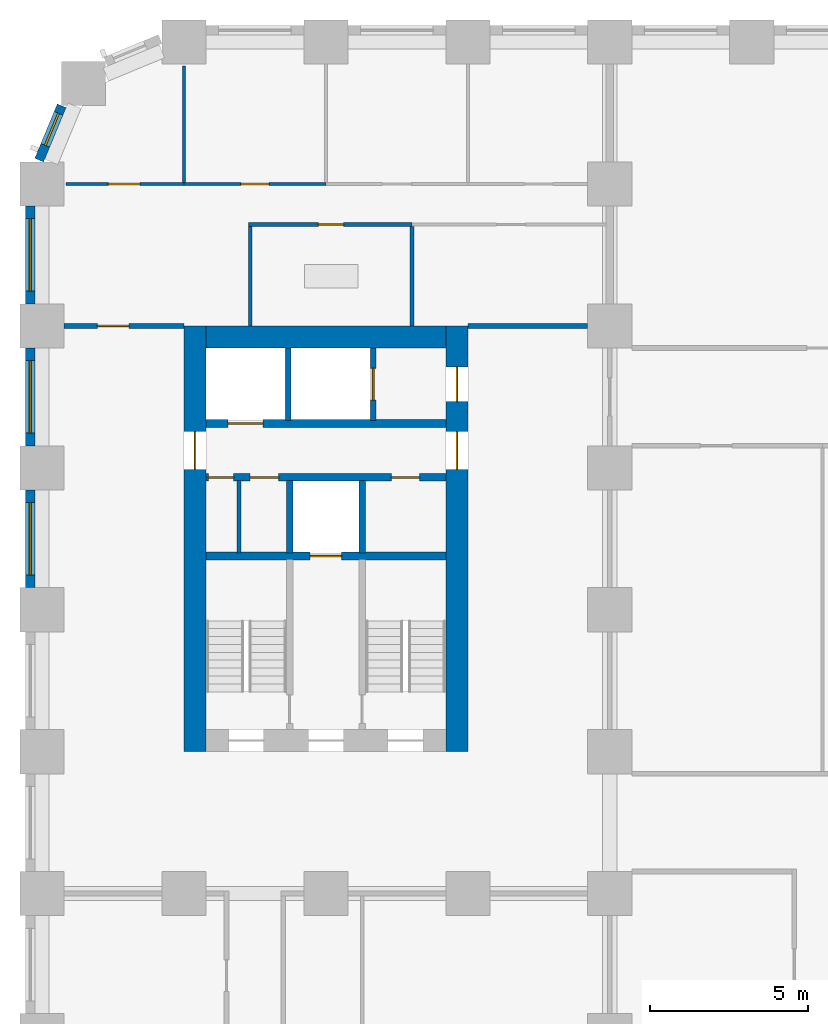
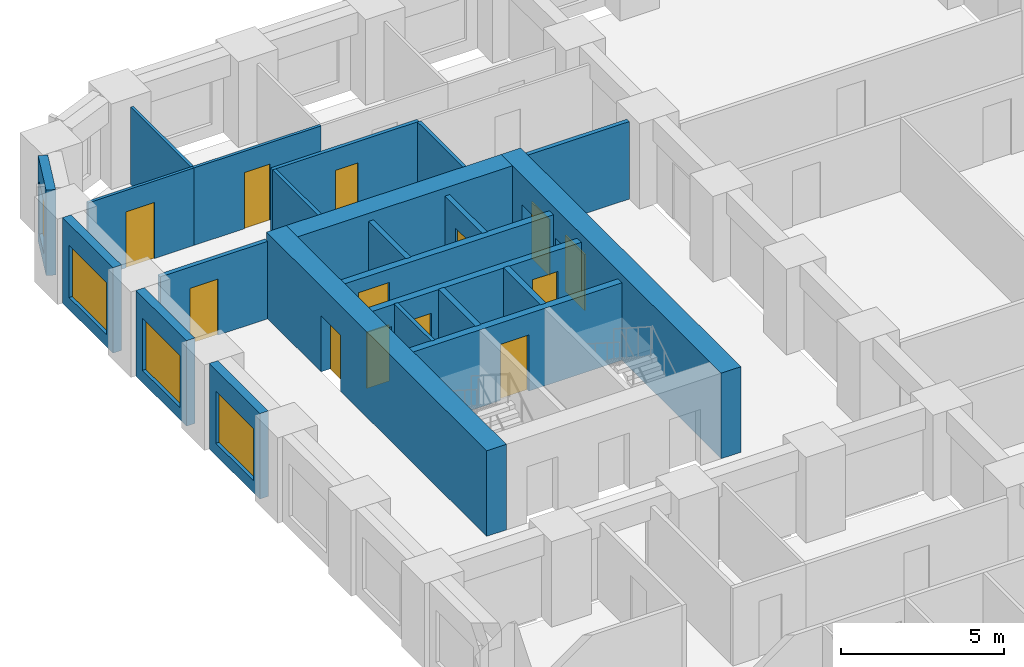
# One storey, part 6 of 12: 23 walls, 13 doors, 4 windows, 17 openings.
"""IFC4 building model written with IfcOpenShell, lengths in metres."""

from ifc_helpers import new_model, si_unit, direction, frame, frame_2d, origin, place, context, subcontext, project, spatial, rectangle, extrude, material, layer, layer_set, type_object, element, fill, save


model = new_model("IFC4")

# Units and contexts
model_context = context("Model", 3, precision=1e-05, world=origin(), true_north=direction((0.0, 1.0)))
body_context = subcontext(model_context, "Body", "Model", "MODEL_VIEW")
ifc_project = project(units=[si_unit("LENGTHUNIT", "METRE"), si_unit("AREAUNIT", "SQUARE_METRE"), si_unit("VOLUMEUNIT", "CUBIC_METRE"), si_unit("PLANEANGLEUNIT", "RADIAN"), si_unit("MASSUNIT", "GRAM", prefix="KILO")], contexts=[model_context])

# Site, building, storey
site_placement = place(None, origin())
site = spatial("IfcSite", under=ifc_project, at=site_placement, CompositionType="ELEMENT")
building_placement = place(site_placement, origin())
building = spatial("IfcBuilding", under=site, at=building_placement, Name="Girih Gate Residences", CompositionType="ELEMENT")
storey_placement = place(building_placement, frame((0.0, 0.0, 33.60009765625)))
storey = spatial("IfcBuildingStorey", under=building, at=storey_placement, Name="L07", CompositionType="ELEMENT", Elevation=33.60009765625)

# Wall, opening, door
ifc_material_1 = material(Name="Gypsum board on steel studs", Category="steel")
ifc_layer_1 = layer(ifc_material_1, 0.14990234375)
ifc_layer_set_1 = layer_set([ifc_layer_1], Name="Compartment wall 150 mm")
wall_type_1 = type_object("IfcWallType", Name="Compartment wall 150 mm", PredefinedType="PARTITIONING", material=ifc_layer_set_1)
wall_1_placement = place(storey_placement, frame((0.699951171875, 40.5, 0.0), z_axis=(0.0, 0.0, 1.0), x_axis=(1.0, 0.0, 0.0)))
wall_1 = element("IfcWall", 1, at=wall_1_placement, inside=storey, type_object=wall_type_1, Name="L07 partition", PredefinedType="PARTITIONING", context=body_context, shape_type="SweptSolid", body=[
    extrude(rectangle(XDim=3.800048828125, YDim=0.14990234375, at=frame_2d((1.89990234375, 0.0))), origin(), (0.0, 0.0, 1.0), 2.89990234375),
])
opening_1_placement = place(wall_1_placement, frame((1.050048828125, 0.0, 0.0)))
opening_1 = element("IfcOpeningElement", 2, at=opening_1_placement, cuts=wall_1, Name="Opening A07-014", PredefinedType="OPENING", context=body_context, shape_type="SweptSolid", body=[
    extrude(rectangle(XDim=1.0, YDim=2.10009765625, at=frame_2d((0.5, 1.050048828125))), frame((0.0, 0.0849609375, 0.0), z_axis=(0.0, -1.0, 0.0), x_axis=(1.0, 0.0, 0.0)), (0.0, 0.0, 1.0), 0.169921875),
])
ifc_material_2 = material(Name="Timber, fire-rated core", Category="wood")
door_type_1 = type_object("IfcDoorType", Name="Flat entrance door 1000x2100 FD30S", OperationType="NOTDEFINED", PredefinedType="DOOR", material=ifc_material_2)
door_1_placement = place(opening_1_placement, origin())
door_1 = element("IfcDoor", 3, at=door_1_placement, inside=storey, type_object=door_type_1, Name="Door A07-014", OperationType="SINGLE_SWING_LEFT", OverallHeight=2.10009765625, OverallWidth=1.0, PredefinedType="DOOR", context=body_context, shape_type="SweptSolid", body=[
    extrude(rectangle(XDim=1.0, YDim=2.10009765625, at=frame_2d((0.5, 1.050048828125))), frame((0.0, 0.02490234375, 0.0), z_axis=(0.0, -1.0, 0.0), x_axis=(1.0, 0.0, 0.0)), (0.0, 0.0, 1.0), 0.050048828125),
])
fill(opening_1, door_1)

# Walls
wall_2_placement = place(storey_placement, frame((13.5, 40.5, 0.0), z_axis=(0.0, 0.0, 1.0), x_axis=(1.0, 0.0, 0.0)))
element("IfcWall", 4, at=wall_2_placement, inside=storey, type_object=wall_type_1, Name="L07 partition", PredefinedType="PARTITIONING", context=body_context, shape_type="SweptSolid", body=[
    extrude(rectangle(XDim=3.800048828125, YDim=0.14990234375, at=frame_2d((1.89990234375, 0.0))), origin(), (0.0, 0.0, 1.0), 2.89990234375),
])
ifc_material_3 = material(Name="Concrete C60/75", Category="concrete")
ifc_layer_2 = layer(ifc_material_3, 0.699951171875)
ifc_layer_set_2 = layer_set([ifc_layer_2], Name="Core wall RC 700 Concrete C60/75")
wall_type_2 = type_object("IfcWallType", Name="Core wall RC 700 Concrete C60/75", PredefinedType="SOLIDWALL", material=ifc_layer_set_2)
wall_3_placement = place(storey_placement, frame((5.199951171875, 40.14990234375, 0.0), z_axis=(0.0, 0.0, 1.0), x_axis=(1.0, 0.0, 0.0)))
element("IfcWall", 5, at=wall_3_placement, inside=storey, type_object=wall_type_2, Name="Core wall W-N L07", PredefinedType="SOLIDWALL", context=body_context, shape_type="SweptSolid", body=[
    extrude(rectangle(XDim=7.60009765625, YDim=0.699951171875, at=frame_2d((3.800048828125, 0.0))), origin(), (0.0, 0.0, 1.0), 3.199951171875),
])

# Wall, opening, door
wall_4_placement = place(storey_placement, frame((4.85009765625, 27.0, 0.0), z_axis=(0.0, 0.0, 1.0), x_axis=(0.0, 1.0, 0.0)))
wall_4 = element("IfcWall", 6, at=wall_4_placement, inside=storey, type_object=wall_type_2, Name="Core wall W-W L07", PredefinedType="SOLIDWALL", context=body_context, shape_type="SweptSolid", body=[
    extrude(rectangle(XDim=13.5, YDim=0.699951171875, at=frame_2d((6.75, 0.0))), origin(), (0.0, 0.0, 1.0), 3.199951171875),
])
opening_2_placement = place(wall_4_placement, frame((8.949951171875, 0.0, 0.0)))
opening_2 = element("IfcOpeningElement", 7, at=opening_2_placement, cuts=wall_4, Name="Opening D-L07-W-013", PredefinedType="OPENING", context=body_context, shape_type="SweptSolid", body=[
    extrude(rectangle(XDim=1.199951171875, YDim=2.10009765625, at=frame_2d((0.60009765625, 1.050048828125))), frame((0.0, 0.35986328125, 0.0), z_axis=(0.0, -1.0, 0.0), x_axis=(1.0, 0.0, 0.0)), (0.0, 0.0, 1.0), 0.719970703125),
])
ifc_material_4 = material(Name="Painted steel, fire-resisting", Category="steel")
door_type_2 = type_object("IfcDoorType", Name="Fire door 1200x2100", OperationType="SINGLE_SWING_LEFT", PredefinedType="DOOR", material=ifc_material_4)
door_2_placement = place(opening_2_placement, origin())
door_2 = element("IfcDoor", 8, at=door_2_placement, inside=storey, type_object=door_type_2, Name="L07 W core door ll-w", OperationType="SINGLE_SWING_LEFT", OverallHeight=2.10009765625, OverallWidth=1.199951171875, PredefinedType="DOOR", context=body_context, shape_type="SweptSolid", body=[
    extrude(rectangle(XDim=1.199951171875, YDim=2.10009765625, at=frame_2d((0.60009765625, 1.050048828125))), frame((0.0, 0.02490234375, 0.0), z_axis=(0.0, -1.0, 0.0), x_axis=(1.0, 0.0, 0.0)), (0.0, 0.0, 1.0), 0.050048828125),
])
fill(opening_2, door_2)

# Wall, openings, doors
wall_5_placement = place(storey_placement, frame((13.14990234375, 27.0, 0.0), z_axis=(0.0, 0.0, 1.0), x_axis=(0.0, 1.0, 0.0)))
wall_5 = element("IfcWall", 9, at=wall_5_placement, inside=storey, type_object=wall_type_2, Name="Core wall W-E L07", PredefinedType="SOLIDWALL", context=body_context, shape_type="SweptSolid", body=[
    extrude(rectangle(XDim=13.5, YDim=0.699951171875, at=frame_2d((6.75, 0.0))), origin(), (0.0, 0.0, 1.0), 3.199951171875),
])
opening_3_placement = place(wall_5_placement, frame((11.10009765625, 0.0, 0.0)))
opening_3 = element("IfcOpeningElement", 10, at=opening_3_placement, cuts=wall_5, Name="Opening D-L07-W-012", PredefinedType="OPENING", context=body_context, shape_type="SweptSolid", body=[
    extrude(rectangle(XDim=1.10009765625, YDim=2.10009765625, at=frame_2d((0.550048828125, 1.050048828125))), frame((0.0, 0.35986328125, 0.0), z_axis=(0.0, -1.0, 0.0), x_axis=(1.0, 0.0, 0.0)), (0.0, 0.0, 1.0), 0.719970703125),
])
opening_4_placement = place(wall_5_placement, frame((8.949951171875, 0.0, 0.0)))
opening_4 = element("IfcOpeningElement", 11, at=opening_4_placement, cuts=wall_5, Name="Opening D-L07-W-014", PredefinedType="OPENING", context=body_context, shape_type="SweptSolid", body=[
    extrude(rectangle(XDim=1.199951171875, YDim=2.10009765625, at=frame_2d((0.60009765625, 1.050048828125))), frame((0.0, 0.35986328125, 0.0), z_axis=(0.0, -1.0, 0.0), x_axis=(1.0, 0.0, 0.0)), (0.0, 0.0, 1.0), 0.719970703125),
])
door_type_3 = type_object("IfcDoorType", Name="Fire door 1100x2100", OperationType="SINGLE_SWING_LEFT", PredefinedType="DOOR", material=ifc_material_4)
door_3_placement = place(opening_3_placement, origin())
door_3 = element("IfcDoor", 12, at=door_3_placement, inside=storey, type_object=door_type_3, Name="L07 W core door ffl2-e", OperationType="SINGLE_SWING_LEFT", OverallHeight=2.10009765625, OverallWidth=1.10009765625, PredefinedType="DOOR", context=body_context, shape_type="SweptSolid", body=[
    extrude(rectangle(XDim=1.10009765625, YDim=2.10009765625, at=frame_2d((0.550048828125, 1.050048828125))), frame((0.0, 0.02490234375, 0.0), z_axis=(0.0, -1.0, 0.0), x_axis=(1.0, 0.0, 0.0)), (0.0, 0.0, 1.0), 0.050048828125),
])
fill(opening_3, door_3)
door_4_placement = place(opening_4_placement, origin())
door_4 = element("IfcDoor", 13, at=door_4_placement, inside=storey, type_object=door_type_2, Name="L07 W core door ll-e", OperationType="SINGLE_SWING_LEFT", OverallHeight=2.10009765625, OverallWidth=1.199951171875, PredefinedType="DOOR", context=body_context, shape_type="SweptSolid", body=[
    extrude(rectangle(XDim=1.199951171875, YDim=2.10009765625, at=frame_2d((0.60009765625, 1.050048828125))), frame((0.0, 0.02490234375, 0.0), z_axis=(0.0, -1.0, 0.0), x_axis=(1.0, 0.0, 0.0)), (0.0, 0.0, 1.0), 0.050048828125),
])
fill(opening_4, door_4)

# Wall, opening, door
ifc_material_5 = material(Name="Concrete C40/50", Category="concrete")
ifc_layer_3 = layer(ifc_material_5, 0.25)
ifc_layer_set_3 = layer_set([ifc_layer_3], Name="Lift shaft wall 250")
wall_type_3 = type_object("IfcWallType", Name="Lift shaft wall 250", PredefinedType="SOLIDWALL", material=ifc_layer_set_3)
wall_6_placement = place(storey_placement, frame((5.199951171875, 33.199951171875, 0.0), z_axis=(0.0, 0.0, 1.0), x_axis=(1.0, 0.0, 0.0)))
wall_6 = element("IfcWall", 14, at=wall_6_placement, inside=storey, type_object=wall_type_3, Name="L07 W core wall H1", PredefinedType="SOLIDWALL", context=body_context, shape_type="SweptSolid", body=[
    extrude(rectangle(XDim=7.60009765625, YDim=0.25, at=frame_2d((3.800048828125, 0.0))), origin(), (0.0, 0.0, 1.0), 2.89990234375),
])
opening_5_placement = place(wall_6_placement, frame((3.300048828125, 0.0, 0.0)))
opening_5 = element("IfcOpeningElement", 15, at=opening_5_placement, cuts=wall_6, Name="Opening D-L07-W-005", PredefinedType="OPENING", context=body_context, shape_type="SweptSolid", body=[
    extrude(rectangle(XDim=1.0, YDim=2.10009765625, at=frame_2d((0.5, 1.050048828125))), frame((0.0, 0.135009765625, 0.0), z_axis=(0.0, -1.0, 0.0), x_axis=(1.0, 0.0, 0.0)), (0.0, 0.0, 1.0), 0.27001953125),
])
ifc_material_6 = material(Name="Stainless steel, fire-resisting", Category="steel")
door_type_4 = type_object("IfcDoorType", Name="Firefighting lift landing door 1000x2100", OperationType="SLIDING_TO_LEFT", PredefinedType="DOOR", material=ifc_material_6)
door_5_placement = place(opening_5_placement, origin())
door_5 = element("IfcDoor", 16, at=door_5_placement, inside=storey, type_object=door_type_4, Name="L07 lift FF-W landing door", OperationType="SLIDING_TO_LEFT", OverallHeight=2.10009765625, OverallWidth=1.0, PredefinedType="DOOR", context=body_context, shape_type="SweptSolid", body=[
    extrude(rectangle(XDim=1.0, YDim=2.10009765625, at=frame_2d((0.5, 1.050048828125))), frame((0.0, 0.02490234375, 0.0), z_axis=(0.0, -1.0, 0.0), x_axis=(1.0, 0.0, 0.0)), (0.0, 0.0, 1.0), 0.050048828125),
])
fill(opening_5, door_5)

# Wall, openings, doors
wall_7_placement = place(storey_placement, frame((5.199951171875, 35.699951171875, 0.0), z_axis=(0.0, 0.0, 1.0), x_axis=(1.0, 0.0, 0.0)))
wall_7 = element("IfcWall", 17, at=wall_7_placement, inside=storey, type_object=wall_type_3, Name="L07 W core wall H2", PredefinedType="SOLIDWALL", context=body_context, shape_type="SweptSolid", body=[
    extrude(rectangle(XDim=7.60009765625, YDim=0.25, at=frame_2d((3.800048828125, 0.0))), origin(), (0.0, 0.0, 1.0), 2.89990234375),
])
opening_6_placement = place(wall_7_placement, frame((0.074951171875, 0.0, 0.0)))
opening_6 = element("IfcOpeningElement", 18, at=opening_6_placement, cuts=wall_7, Name="Opening D-L07-W-006", PredefinedType="OPENING", context=body_context, shape_type="SweptSolid", body=[
    extrude(rectangle(XDim=0.800048828125, YDim=2.10009765625, at=frame_2d((0.39990234375, 1.050048828125))), frame((0.0, 0.135009765625, 0.0), z_axis=(0.0, -1.0, 0.0), x_axis=(1.0, 0.0, 0.0)), (0.0, 0.0, 1.0), 0.27001953125),
])
opening_7_placement = place(wall_7_placement, frame((1.39990234375, 0.0, 0.0)))
opening_7 = element("IfcOpeningElement", 19, at=opening_7_placement, cuts=wall_7, Name="Opening D-L07-W-007", PredefinedType="OPENING", context=body_context, shape_type="SweptSolid", body=[
    extrude(rectangle(XDim=0.89990234375, YDim=2.10009765625, at=frame_2d((0.449951171875, 1.050048828125))), frame((0.0, 0.135009765625, 0.0), z_axis=(0.0, -1.0, 0.0), x_axis=(1.0, 0.0, 0.0)), (0.0, 0.0, 1.0), 0.27001953125),
])
opening_8_placement = place(wall_7_placement, frame((5.875, 0.0, 0.0)))
opening_8 = element("IfcOpeningElement", 20, at=opening_8_placement, cuts=wall_7, Name="Opening D-L07-W-008", PredefinedType="OPENING", context=body_context, shape_type="SweptSolid", body=[
    extrude(rectangle(XDim=0.89990234375, YDim=2.10009765625, at=frame_2d((0.449951171875, 1.050048828125))), frame((0.0, 0.135009765625, 0.0), z_axis=(0.0, -1.0, 0.0), x_axis=(1.0, 0.0, 0.0)), (0.0, 0.0, 1.0), 0.27001953125),
])
door_type_5 = type_object("IfcDoorType", Name="Fire door 800x2100", OperationType="SINGLE_SWING_LEFT", PredefinedType="DOOR", material=ifc_material_4)
door_6_placement = place(opening_6_placement, origin())
door_6 = element("IfcDoor", 21, at=door_6_placement, inside=storey, type_object=door_type_5, Name="L07 W maintenance store door", OperationType="SINGLE_SWING_LEFT", OverallHeight=2.10009765625, OverallWidth=0.800048828125, PredefinedType="DOOR", context=body_context, shape_type="SweptSolid", body=[
    extrude(rectangle(XDim=0.800048828125, YDim=2.10009765625, at=frame_2d((0.39990234375, 1.050048828125))), frame((0.0, 0.02490234375, 0.0), z_axis=(0.0, -1.0, 0.0), x_axis=(1.0, 0.0, 0.0)), (0.0, 0.0, 1.0), 0.050048828125),
])
fill(opening_6, door_6)
door_type_6 = type_object("IfcDoorType", Name="Fire door 900x2100", OperationType="SINGLE_SWING_LEFT", PredefinedType="DOOR", material=ifc_material_4)
door_7_placement = place(opening_7_placement, origin())
door_7 = element("IfcDoor", 22, at=door_7_placement, inside=storey, type_object=door_type_6, Name="L07 W electrical room door", OperationType="SINGLE_SWING_LEFT", OverallHeight=2.10009765625, OverallWidth=0.89990234375, PredefinedType="DOOR", context=body_context, shape_type="SweptSolid", body=[
    extrude(rectangle(XDim=0.89990234375, YDim=2.10009765625, at=frame_2d((0.449951171875, 1.050048828125))), frame((0.0, 0.02490234375, 0.0), z_axis=(0.0, -1.0, 0.0), x_axis=(1.0, 0.0, 0.0)), (0.0, 0.0, 1.0), 0.050048828125),
])
fill(opening_7, door_7)
door_8_placement = place(opening_8_placement, origin())
door_8 = element("IfcDoor", 23, at=door_8_placement, inside=storey, type_object=door_type_6, Name="L07 W linen store door", OperationType="SINGLE_SWING_LEFT", OverallHeight=2.10009765625, OverallWidth=0.89990234375, PredefinedType="DOOR", context=body_context, shape_type="SweptSolid", body=[
    extrude(rectangle(XDim=0.89990234375, YDim=2.10009765625, at=frame_2d((0.449951171875, 1.050048828125))), frame((0.0, 0.02490234375, 0.0), z_axis=(0.0, -1.0, 0.0), x_axis=(1.0, 0.0, 0.0)), (0.0, 0.0, 1.0), 0.050048828125),
])
fill(opening_8, door_8)

# Wall, opening, door
wall_8_placement = place(storey_placement, frame((5.199951171875, 37.39990234375, 0.0), z_axis=(0.0, 0.0, 1.0), x_axis=(1.0, 0.0, 0.0)))
wall_8 = element("IfcWall", 24, at=wall_8_placement, inside=storey, type_object=wall_type_3, Name="L07 W core wall H3", PredefinedType="SOLIDWALL", context=body_context, shape_type="SweptSolid", body=[
    extrude(rectangle(XDim=7.60009765625, YDim=0.25, at=frame_2d((3.800048828125, 0.0))), origin(), (0.0, 0.0, 1.0), 2.89990234375),
])
opening_9_placement = place(wall_8_placement, frame((0.699951171875, 0.0, 0.0)))
opening_9 = element("IfcOpeningElement", 25, at=opening_9_placement, cuts=wall_8, Name="Opening D-L07-W-003", PredefinedType="OPENING", context=body_context, shape_type="SweptSolid", body=[
    extrude(rectangle(XDim=1.10009765625, YDim=2.39990234375, at=frame_2d((0.550048828125, 1.199951171875))), frame((0.0, 0.135009765625, 0.0), z_axis=(0.0, -1.0, 0.0), x_axis=(1.0, 0.0, 0.0)), (0.0, 0.0, 1.0), 0.27001953125),
])
ifc_material_7 = material(Name="Stainless steel", Category="steel")
door_type_7 = type_object("IfcDoorType", Name="Lift landing door 1100x2400", OperationType="SLIDING_TO_LEFT", PredefinedType="DOOR", material=ifc_material_7)
door_9_placement = place(opening_9_placement, origin())
door_9 = element("IfcDoor", 26, at=door_9_placement, inside=storey, type_object=door_type_7, Name="L07 lift LR-W1 landing door", OperationType="SLIDING_TO_LEFT", OverallHeight=2.39990234375, OverallWidth=1.10009765625, PredefinedType="DOOR", context=body_context, shape_type="SweptSolid", body=[
    extrude(rectangle(XDim=1.10009765625, YDim=2.39990234375, at=frame_2d((0.550048828125, 1.199951171875))), frame((0.0, 0.02490234375, 0.0), z_axis=(0.0, -1.0, 0.0), x_axis=(1.0, 0.0, 0.0)), (0.0, 0.0, 1.0), 0.050048828125),
])
fill(opening_9, door_9)

ifc_layer_4 = layer(ifc_material_1, 0.10009765625)
ifc_layer_set_4 = layer_set([ifc_layer_4], Name="Partition 100 mm")
wall_type_4 = type_object("IfcWallType", Name="Partition 100 mm", PredefinedType="PARTITIONING", material=ifc_layer_set_4)
wall_9_placement = place(storey_placement, frame((4.5, 45.0, 0.0), z_axis=(0.0, 0.0, 1.0), x_axis=(1.0, 0.0, 0.0)))
wall_9 = element("IfcWall", 27, at=wall_9_placement, inside=storey, type_object=wall_type_4, Name="L07 partition", PredefinedType="PARTITIONING", context=body_context, shape_type="SweptSolid", body=[
    extrude(rectangle(XDim=4.5, YDim=0.10009765625, at=frame_2d((2.25, 0.0))), origin(), (0.0, 0.0, 1.0), 2.89990234375),
])
opening_10_placement = place(wall_9_placement, frame((1.800048828125, 0.0, 0.0)))
opening_10 = element("IfcOpeningElement", 28, at=opening_10_placement, cuts=wall_9, Name="Opening A07-009", PredefinedType="OPENING", context=body_context, shape_type="SweptSolid", body=[
    extrude(rectangle(XDim=0.89990234375, YDim=2.10009765625, at=frame_2d((0.449951171875, 1.050048828125))), frame((0.0, 0.06005859375, 0.0), z_axis=(0.0, -1.0, 0.0), x_axis=(1.0, 0.0, 0.0)), (0.0, 0.0, 1.0), 0.1201171875),
])
ifc_material_8 = material(Name="Timber", Category="wood")
door_type_8 = type_object("IfcDoorType", Name="Bedroom door 900x2100", OperationType="NOTDEFINED", PredefinedType="DOOR", material=ifc_material_8)
door_10_placement = place(opening_10_placement, origin())
door_10 = element("IfcDoor", 29, at=door_10_placement, inside=storey, type_object=door_type_8, Name="Door A07-009", OperationType="SINGLE_SWING_RIGHT", OverallHeight=2.10009765625, OverallWidth=0.89990234375, PredefinedType="DOOR", context=body_context, shape_type="SweptSolid", body=[
    extrude(rectangle(XDim=0.89990234375, YDim=2.10009765625, at=frame_2d((0.449951171875, 1.050048828125))), frame((0.0, 0.02490234375, 0.0), z_axis=(0.0, -1.0, 0.0), x_axis=(1.0, 0.0, 0.0)), (0.0, 0.0, 1.0), 0.050048828125),
])
fill(opening_10, door_10)

# Wall
wall_10_placement = place(storey_placement, frame((4.5, 45.050048828125, 0.0), z_axis=(0.0, 0.0, 1.0), x_axis=(0.0, 1.0, 0.0)))
element("IfcWall", 30, at=wall_10_placement, inside=storey, type_object=wall_type_4, Name="L07 partition", PredefinedType="PARTITIONING", context=body_context, shape_type="SweptSolid", body=[
    extrude(rectangle(XDim=3.6923828125, YDim=0.10009765625, at=frame_2d((1.84619140625, 0.0))), origin(), (0.0, 0.0, 1.0), 2.89990234375),
])

# Wall, opening, door
wall_11_placement = place(storey_placement, frame((0.757568359375, 45.0, 0.0), z_axis=(0.0, 0.0, 1.0), x_axis=(1.0, 0.0, 0.0)))
wall_11 = element("IfcWall", 31, at=wall_11_placement, inside=storey, type_object=wall_type_4, Name="L07 partition", PredefinedType="PARTITIONING", context=body_context, shape_type="SweptSolid", body=[
    extrude(rectangle(XDim=3.742431640625, YDim=0.10009765625, at=frame_2d((1.87109375, 0.0))), origin(), (0.0, 0.0, 1.0), 2.89990234375),
])
opening_11_placement = place(wall_11_placement, frame((1.34228515625, 0.0, 0.0)))
opening_11 = element("IfcOpeningElement", 32, at=opening_11_placement, cuts=wall_11, Name="Opening A07-013", PredefinedType="OPENING", context=body_context, shape_type="SweptSolid", body=[
    extrude(rectangle(XDim=1.0, YDim=2.10009765625, at=frame_2d((0.5, 1.050048828125))), frame((0.0, 0.06005859375, 0.0), z_axis=(0.0, -1.0, 0.0), x_axis=(1.0, 0.0, 0.0)), (0.0, 0.0, 1.0), 0.1201171875),
])
door_type_9 = type_object("IfcDoorType", Name="Living room door 1000x2100", OperationType="NOTDEFINED", PredefinedType="DOOR", material=ifc_material_8)
door_11_placement = place(opening_11_placement, origin())
door_11 = element("IfcDoor", 33, at=door_11_placement, inside=storey, type_object=door_type_9, Name="Door A07-013", OperationType="SINGLE_SWING_LEFT", OverallHeight=2.10009765625, OverallWidth=1.0, PredefinedType="DOOR", context=body_context, shape_type="SweptSolid", body=[
    extrude(rectangle(XDim=1.0, YDim=2.10009765625, at=frame_2d((0.5, 1.050048828125))), frame((0.0, 0.02490234375, 0.0), z_axis=(0.0, -1.0, 0.0), x_axis=(1.0, 0.0, 0.0)), (0.0, 0.0, 1.0), 0.050048828125),
])
fill(opening_11, door_11)

# Wall, opening, window
ifc_material_9 = material(Name="Precast concrete C50/60", Category="concrete")
ifc_layer_5 = layer(ifc_material_9, 0.080078125, Name="Outer leaf")
ifc_material_10 = material(Name="Rigid PIR insulation")
ifc_layer_6 = layer(ifc_material_10, 0.14990234375, Name="Insulation")
ifc_material_11 = material(Name="Precast concrete C40/50", Category="concrete")
ifc_layer_7 = layer(ifc_material_11, 0.070068359375, Name="Inner leaf")
ifc_layer_set_5 = layer_set([ifc_layer_5, ifc_layer_6, ifc_layer_7], Name="Precast concrete C50/60 external wall 300")
wall_type_5 = type_object("IfcWallType", Name="Precast concrete C50/60 external wall 300", PredefinedType="SOLIDWALL", material=ifc_layer_set_5)
wall_12_placement = place(storey_placement, frame((-0.09228515625, 45.75732421875, 0.0), z_axis=(0.0, 0.0, 1.0), x_axis=(0.382737135771, 0.923857286003, 0.0)))
wall_12 = element("IfcWall", 34, at=wall_12_placement, inside=storey, type_object=wall_type_5, Name="External wall NW0013_0482.0", PredefinedType="SOLIDWALL", context=body_context, shape_type="SweptSolid", body=[
    extrude(rectangle(XDim=1.865234375, YDim=0.300048828125, at=frame_2d((0.9326171875, 0.0))), origin(), (0.0, 0.0, 1.0), 3.199951171875),
])
opening_12_placement = place(wall_12_placement, frame((0.507568359375, 0.0, 0.449951171875)))
opening_12 = element("IfcOpeningElement", 35, at=opening_12_placement, cuts=wall_12, Name="Opening W-2C", PredefinedType="OPENING", context=body_context, shape_type="SweptSolid", body=[
    extrude(rectangle(XDim=1.10009765625, YDim=1.949951171875, at=frame_2d((0.550048828125, 0.97509765625))), frame((0.0, 0.159912109375, 0.0), z_axis=(0.0, -1.0, 0.0), x_axis=(1.0, 0.0, 0.0)), (0.0, 0.0, 1.0), 0.320068359375),
])
ifc_material_12 = material(Name="Double glazing in aluminium frame", Category="aluminium")
window_type_1 = type_object("IfcWindowType", Name="Window W-2C 1100x1950", PartitioningType="SINGLE_PANEL", PredefinedType="WINDOW", material=ifc_material_12)
window_1_placement = place(opening_12_placement, origin())
window_1 = element("IfcWindow", 36, at=window_1_placement, inside=storey, type_object=window_type_1, Name="Window W-2C NW0013_0482.0", OverallHeight=1.949951171875, OverallWidth=1.10009765625, PartitioningType="SINGLE_PANEL", PredefinedType="WINDOW", context=body_context, shape_type="SweptSolid", body=[
    extrude(rectangle(XDim=1.10009765625, YDim=1.949951171875, at=frame_2d((0.550048828125, 0.97509765625))), frame((0.0, 0.030029296875, 0.0), z_axis=(0.0, -1.0, 0.0), x_axis=(1.0, 0.0, 0.0)), (0.0, 0.0, 1.0), 0.06005859375),
])
fill(opening_12, window_1)

wall_13_placement = place(storey_placement, frame((-0.375, 41.199951171875, 0.0), z_axis=(0.0, 0.0, 1.0), x_axis=(0.0, 1.0, 0.0)))
wall_13 = element("IfcWall", 37, at=wall_13_placement, inside=storey, type_object=wall_type_5, Name="External wall W0000_0450.0", PredefinedType="SOLIDWALL", context=body_context, shape_type="SweptSolid", body=[
    extrude(rectangle(XDim=3.10009765625, YDim=0.300048828125, at=frame_2d((1.550048828125, 0.0))), origin(), (0.0, 0.0, 1.0), 3.199951171875),
])
opening_13_placement = place(wall_13_placement, frame((0.39990234375, 0.0, 0.449951171875)))
opening_13 = element("IfcOpeningElement", 38, at=opening_13_placement, cuts=wall_13, Name="Opening W-1", PredefinedType="OPENING", context=body_context, shape_type="SweptSolid", body=[
    extrude(rectangle(XDim=2.300048828125, YDim=1.949951171875, at=frame_2d((1.14990234375, 0.97509765625))), frame((0.0, 0.159912109375, 0.0), z_axis=(0.0, -1.0, 0.0), x_axis=(1.0, 0.0, 0.0)), (0.0, 0.0, 1.0), 0.320068359375),
])
window_type_2 = type_object("IfcWindowType", Name="Window W-1 2300x1950", PartitioningType="SINGLE_PANEL", PredefinedType="WINDOW", material=ifc_material_12)
window_2_placement = place(opening_13_placement, origin())
window_2 = element("IfcWindow", 39, at=window_2_placement, inside=storey, type_object=window_type_2, Name="Window W-1 W0000_0450.0", OverallHeight=1.949951171875, OverallWidth=2.300048828125, PartitioningType="SINGLE_PANEL", PredefinedType="WINDOW", context=body_context, shape_type="SweptSolid", body=[
    extrude(rectangle(XDim=2.300048828125, YDim=1.949951171875, at=frame_2d((1.14990234375, 0.97509765625))), frame((0.0, 0.030029296875, 0.0), z_axis=(0.0, -1.0, 0.0), x_axis=(1.0, 0.0, 0.0)), (0.0, 0.0, 1.0), 0.06005859375),
])
fill(opening_13, window_2)

wall_14_placement = place(storey_placement, frame((-0.375, 36.699951171875, 0.0), z_axis=(0.0, 0.0, 1.0), x_axis=(0.0, 1.0, 0.0)))
wall_14 = element("IfcWall", 40, at=wall_14_placement, inside=storey, type_object=wall_type_5, Name="External wall W0000_0450.1", PredefinedType="SOLIDWALL", context=body_context, shape_type="SweptSolid", body=[
    extrude(rectangle(XDim=3.10009765625, YDim=0.300048828125, at=frame_2d((1.550048828125, 0.0))), origin(), (0.0, 0.0, 1.0), 3.199951171875),
])
opening_14_placement = place(wall_14_placement, frame((0.39990234375, 0.0, 0.449951171875)))
opening_14 = element("IfcOpeningElement", 41, at=opening_14_placement, cuts=wall_14, Name="Opening W-1", PredefinedType="OPENING", context=body_context, shape_type="SweptSolid", body=[
    extrude(rectangle(XDim=2.300048828125, YDim=1.949951171875, at=frame_2d((1.14990234375, 0.97509765625))), frame((0.0, 0.159912109375, 0.0), z_axis=(0.0, -1.0, 0.0), x_axis=(1.0, 0.0, 0.0)), (0.0, 0.0, 1.0), 0.320068359375),
])
window_3_placement = place(opening_14_placement, origin())
window_3 = element("IfcWindow", 42, at=window_3_placement, inside=storey, type_object=window_type_2, Name="Window W-1 W0000_0450.1", OverallHeight=1.949951171875, OverallWidth=2.300048828125, PartitioningType="SINGLE_PANEL", PredefinedType="WINDOW", context=body_context, shape_type="SweptSolid", body=[
    extrude(rectangle(XDim=2.300048828125, YDim=1.949951171875, at=frame_2d((1.14990234375, 0.97509765625))), frame((0.0, 0.030029296875, 0.0), z_axis=(0.0, -1.0, 0.0), x_axis=(1.0, 0.0, 0.0)), (0.0, 0.0, 1.0), 0.06005859375),
])
fill(opening_14, window_3)

wall_15_placement = place(storey_placement, frame((-0.375, 32.199951171875, 0.0), z_axis=(0.0, 0.0, 1.0), x_axis=(0.0, 1.0, 0.0)))
wall_15 = element("IfcWall", 43, at=wall_15_placement, inside=storey, type_object=wall_type_5, Name="External wall W0000_0450.2", PredefinedType="SOLIDWALL", context=body_context, shape_type="SweptSolid", body=[
    extrude(rectangle(XDim=3.10009765625, YDim=0.300048828125, at=frame_2d((1.550048828125, 0.0))), origin(), (0.0, 0.0, 1.0), 3.199951171875),
])
opening_15_placement = place(wall_15_placement, frame((0.39990234375, 0.0, 0.449951171875)))
opening_15 = element("IfcOpeningElement", 44, at=opening_15_placement, cuts=wall_15, Name="Opening W-1", PredefinedType="OPENING", context=body_context, shape_type="SweptSolid", body=[
    extrude(rectangle(XDim=2.300048828125, YDim=1.949951171875, at=frame_2d((1.14990234375, 0.97509765625))), frame((0.0, 0.159912109375, 0.0), z_axis=(0.0, -1.0, 0.0), x_axis=(1.0, 0.0, 0.0)), (0.0, 0.0, 1.0), 0.320068359375),
])
window_4_placement = place(opening_15_placement, origin())
window_4 = element("IfcWindow", 45, at=window_4_placement, inside=storey, type_object=window_type_2, Name="Window W-1 W0000_0450.2", OverallHeight=1.949951171875, OverallWidth=2.300048828125, PartitioningType="SINGLE_PANEL", PredefinedType="WINDOW", context=body_context, shape_type="SweptSolid", body=[
    extrude(rectangle(XDim=2.300048828125, YDim=1.949951171875, at=frame_2d((1.14990234375, 0.97509765625))), frame((0.0, 0.030029296875, 0.0), z_axis=(0.0, -1.0, 0.0), x_axis=(1.0, 0.0, 0.0)), (0.0, 0.0, 1.0), 0.06005859375),
])
fill(opening_15, window_4)

# Wall
ifc_layer_8 = layer(ifc_material_5, 0.175048828125)
ifc_layer_set_6 = layer_set([ifc_layer_8], Name="Riser shaft wall 175")
wall_type_6 = type_object("IfcWallType", Name="Riser shaft wall 175", PredefinedType="SOLIDWALL", material=ifc_layer_set_6)
wall_16_placement = place(storey_placement, frame((7.800048828125, 37.5, 0.0), z_axis=(0.0, 0.0, 1.0), x_axis=(0.0, 1.0, 0.0)))
element("IfcWall", 46, at=wall_16_placement, inside=storey, type_object=wall_type_6, Name="L07 W core wall V1c", PredefinedType="SOLIDWALL", context=body_context, shape_type="SweptSolid", body=[
    extrude(rectangle(XDim=2.300048828125, YDim=0.175048828125, at=frame_2d((1.14990234375, 0.0))), origin(), (0.0, 0.0, 1.0), 2.89990234375),
])

# Wall, opening, door
wall_17_placement = place(storey_placement, frame((10.5, 37.5, 0.0), z_axis=(0.0, 0.0, 1.0), x_axis=(0.0, 1.0, 0.0)))
wall_17 = element("IfcWall", 47, at=wall_17_placement, inside=storey, type_object=wall_type_6, Name="L07 W core wall V2c", PredefinedType="SOLIDWALL", context=body_context, shape_type="SweptSolid", body=[
    extrude(rectangle(XDim=2.300048828125, YDim=0.175048828125, at=frame_2d((1.14990234375, 0.0))), origin(), (0.0, 0.0, 1.0), 2.89990234375),
])
opening_16_placement = place(wall_17_placement, frame((0.64990234375, 0.0, 0.0)))
opening_16 = element("IfcOpeningElement", 48, at=opening_16_placement, cuts=wall_17, Name="Opening D-L07-W-004", PredefinedType="OPENING", context=body_context, shape_type="SweptSolid", body=[
    extrude(rectangle(XDim=1.0, YDim=2.10009765625, at=frame_2d((0.5, 1.050048828125))), frame((0.0, 0.097412109375, 0.0), z_axis=(0.0, -1.0, 0.0), x_axis=(1.0, 0.0, 0.0)), (0.0, 0.0, 1.0), 0.195068359375),
])
door_12_placement = place(opening_16_placement, origin())
door_12 = element("IfcDoor", 49, at=door_12_placement, inside=storey, type_object=door_type_4, Name="L07 lift FF-W2 landing door", OperationType="SLIDING_TO_LEFT", OverallHeight=2.10009765625, OverallWidth=1.0, PredefinedType="DOOR", context=body_context, shape_type="SweptSolid", body=[
    extrude(rectangle(XDim=1.0, YDim=2.10009765625, at=frame_2d((0.5, 1.050048828125))), frame((0.0, 0.02490234375, 0.0), z_axis=(0.0, -1.0, 0.0), x_axis=(1.0, 0.0, 0.0)), (0.0, 0.0, 1.0), 0.050048828125),
])
fill(opening_16, door_12)

# Walls
ifc_layer_9 = layer(ifc_material_5, 0.199951171875)
ifc_layer_set_7 = layer_set([ifc_layer_9], Name="Shaft wall 200")
wall_type_7 = type_object("IfcWallType", Name="Shaft wall 200", PredefinedType="SOLIDWALL", material=ifc_layer_set_7)
for number, where, z_axis, x_axis, name in (
    (50, (7.85009765625, 33.300048828125, 0.0), (0.0, 0.0, 1.0), (0.0, 1.0, 0.0), "L07 W core wall V1b"),
    (51, (10.14990234375, 33.300048828125, 0.0), (0.0, 0.0, 1.0), (0.0, 1.0, 0.0), "L07 W core wall V2b"),
):
    element("IfcWall", number, at=place(storey_placement, frame(where, z_axis=z_axis, x_axis=x_axis)), inside=storey, type_object=wall_type_7, Name=name, PredefinedType="SOLIDWALL", context=body_context, shape_type="SweptSolid", body=[
        extrude(rectangle(XDim=2.300048828125, YDim=0.199951171875, at=frame_2d((1.14990234375, 0.0))), origin(), (0.0, 0.0, 1.0), 2.89990234375),
    ])
ifc_material_13 = material(Name="Calcium silicate blockwork", Category="masonry")
ifc_layer_10 = layer(ifc_material_13, 0.125)
ifc_layer_set_8 = layer_set([ifc_layer_10], Name="Store partition 125")
wall_type_8 = type_object("IfcWallType", Name="Store partition 125", PredefinedType="PARTITIONING", material=ifc_layer_set_8)
wall_18_placement = place(storey_placement, frame((6.25, 33.300048828125, 0.0), z_axis=(0.0, 0.0, 1.0), x_axis=(0.0, 1.0, 0.0)))
element("IfcWall", 52, at=wall_18_placement, inside=storey, type_object=wall_type_8, Name="L07 W core wall SHR1", PredefinedType="PARTITIONING", context=body_context, shape_type="SweptSolid", body=[
    extrude(rectangle(XDim=2.300048828125, YDim=0.125, at=frame_2d((1.14990234375, 0.0))), origin(), (0.0, 0.0, 1.0), 2.89990234375),
])
ifc_layer_11 = layer(ifc_material_1, 0.125)
ifc_layer_set_9 = layer_set([ifc_layer_11], Name="Wet room wall 125 mm")
wall_type_9 = type_object("IfcWallType", Name="Wet room wall 125 mm", PredefinedType="PARTITIONING", material=ifc_layer_set_9)
wall_19_placement = place(storey_placement, frame((6.60009765625, 40.5, 0.0), z_axis=(0.0, 0.0, 1.0), x_axis=(0.0, 1.0, 0.0)))
element("IfcWall", 53, at=wall_19_placement, inside=storey, type_object=wall_type_9, Name="L07 partition", PredefinedType="PARTITIONING", context=body_context, shape_type="SweptSolid", body=[
    extrude(rectangle(XDim=3.157470703125, YDim=0.125, at=frame_2d((1.57861328125, 0.0))), origin(), (0.0, 0.0, 1.0), 2.89990234375),
])

# Wall, opening, door
wall_20_placement = place(storey_placement, frame((11.72802734375, 43.719970703125, 0.0), z_axis=(0.0, 0.0, 1.0), x_axis=(-1.0, 0.0, 0.0)))
wall_20 = element("IfcWall", 54, at=wall_20_placement, inside=storey, type_object=wall_type_9, Name="L07 partition", PredefinedType="PARTITIONING", context=body_context, shape_type="SweptSolid", body=[
    extrude(rectangle(XDim=5.1904296875, YDim=0.125, at=frame_2d((2.59521484375, 0.0))), origin(), (0.0, 0.0, 1.0), 2.89990234375),
])
opening_17_placement = place(wall_20_placement, frame((2.1640625, 0.0, 0.0)))
opening_17 = element("IfcOpeningElement", 55, at=opening_17_placement, cuts=wall_20, Name="Opening A07-008", PredefinedType="OPENING", context=body_context, shape_type="SweptSolid", body=[
    extrude(rectangle(XDim=0.800048828125, YDim=2.10009765625, at=frame_2d((0.39990234375, 1.050048828125))), frame((0.0, 0.072509765625, 0.0), z_axis=(0.0, -1.0, 0.0), x_axis=(1.0, 0.0, 0.0)), (0.0, 0.0, 1.0), 0.14501953125),
])
door_type_10 = type_object("IfcDoorType", Name="Bathroom door 800x2100", OperationType="NOTDEFINED", PredefinedType="DOOR", material=ifc_material_8)
door_13_placement = place(opening_17_placement, origin())
door_13 = element("IfcDoor", 56, at=door_13_placement, inside=storey, type_object=door_type_10, Name="Door A07-008", OperationType="SINGLE_SWING_LEFT", OverallHeight=2.10009765625, OverallWidth=0.800048828125, PredefinedType="DOOR", context=body_context, shape_type="SweptSolid", body=[
    extrude(rectangle(XDim=0.800048828125, YDim=2.10009765625, at=frame_2d((0.39990234375, 1.050048828125))), frame((0.0, 0.02490234375, 0.0), z_axis=(0.0, -1.0, 0.0), x_axis=(1.0, 0.0, 0.0)), (0.0, 0.0, 1.0), 0.050048828125),
])
fill(opening_17, door_13)

# Wall
wall_21_placement = place(storey_placement, frame((11.72802734375, 40.5, 0.0), z_axis=(0.0, 0.0, 1.0), x_axis=(0.0, 1.0, 0.0)))
element("IfcWall", 57, at=wall_21_placement, inside=storey, type_object=wall_type_9, Name="L07 partition", PredefinedType="PARTITIONING", context=body_context, shape_type="SweptSolid", body=[
    extrude(rectangle(XDim=3.157470703125, YDim=0.125, at=frame_2d((1.57861328125, 0.0))), origin(), (0.0, 0.0, 1.0), 2.89990234375),
])

save(model, "model.ifc")
